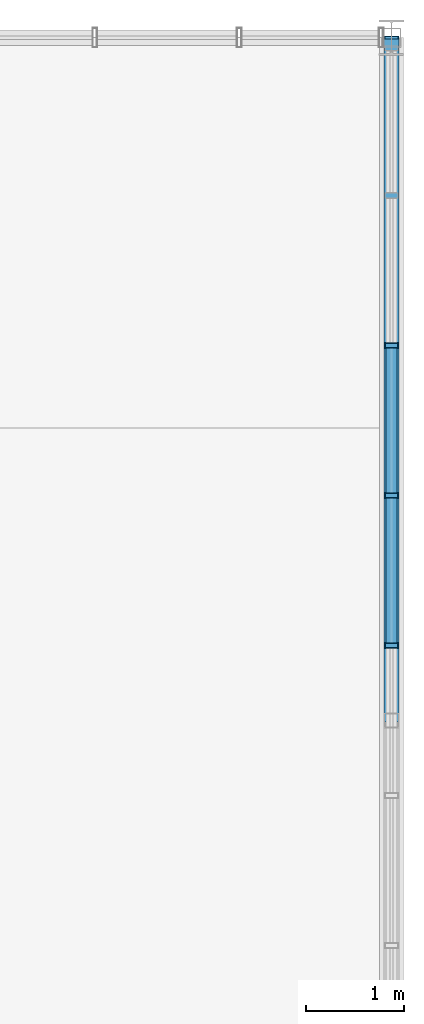
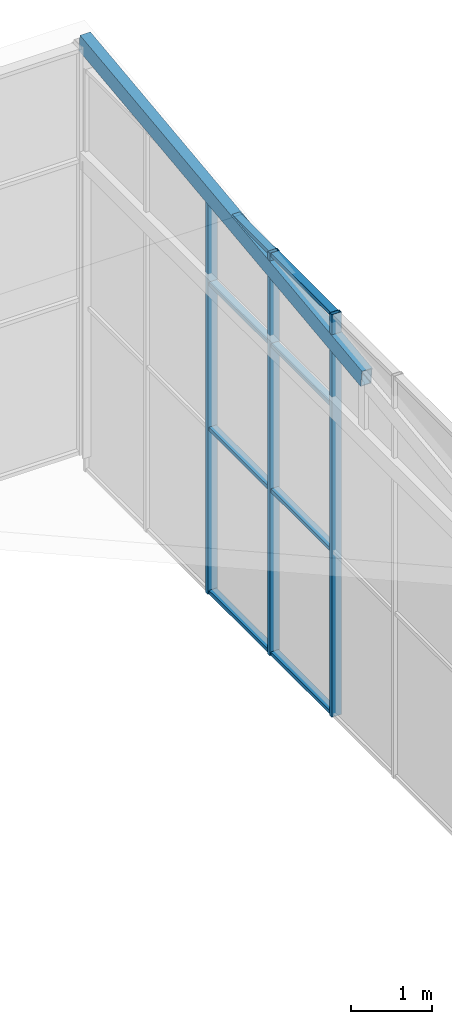
# One storey, part 75 of 104: 12 members, 1 element without a shape of its own.
"""IFC4 building model written with IfcOpenShell, lengths in metres."""

from ifc_helpers import new_model, si_unit, direction, frame, origin, origin_2d, place, context, subcontext, project, spatial, hollow_rectangle, extrude, material, layer, layer_set, material_profile, profile_set, type_object, element, aggregate, save


model = new_model("IFC4")

# Units and contexts
model_context = context("Model", 3, precision=1e-05, world=origin(), true_north=direction((0.0, 1.0)))
body_context = subcontext(model_context, "Body", "Model", "MODEL_VIEW")
ifc_project = project(units=[si_unit("LENGTHUNIT", "METRE"), si_unit("AREAUNIT", "SQUARE_METRE"), si_unit("VOLUMEUNIT", "CUBIC_METRE"), si_unit("PLANEANGLEUNIT", "RADIAN"), si_unit("MASSUNIT", "GRAM", prefix="KILO")], contexts=[model_context])

# Site, building, storey
site_placement = place(None, origin())
site = spatial("IfcSite", under=ifc_project, at=site_placement, CompositionType="ELEMENT")
building_placement = place(site_placement, origin())
building = spatial("IfcBuilding", under=site, at=building_placement, Name="Solvenia Promenade Tram Depot", CompositionType="ELEMENT")
storey_placement = place(building_placement, frame((0.0, 0.0, 9.0)))
storey = spatial("IfcBuildingStorey", under=building, at=storey_placement, Name="L02", CompositionType="ELEMENT", Elevation=9.0)

# Curtain wall, members
ifc_material_1 = material(Name="Anodized aluminium AW-6063 T6", Category="aluminium")
ifc_layer = layer(ifc_material_1, 0.080078125, Name="Anodized aluminium AW-6063 T6", Category="aluminium")
ifc_layer_set = layer_set([ifc_layer], Name="Anodized aluminium AW-6063 T6")
curtain_wall_type = type_object("IfcCurtainWallType", Name="CW-Clerest-1500", PredefinedType="NOTDEFINED", material=ifc_layer_set)
curtain_wall_placement = place(storey_placement, origin())
curtain_wall = element("IfcCurtainWall", 1, at=curtain_wall_placement, inside=storey, type_object=curtain_wall_type, Name="Curtain Wall CW-V2E-L2-3", PredefinedType="NOTDEFINED")
ifc_material_profile_1 = material_profile(ifc_material_1, hollow_rectangle(XDim=0.139892578125, YDim=0.054931640625, WallThickness=0.00390625, at=origin_2d()), Name="ALU-M4", Category="aluminium")
ifc_profile_set_1 = profile_set([ifc_material_profile_1], Name="Anodized aluminium AW-6063 T6")
member_type_1 = type_object("IfcMemberType", Name="CWM-Mullion-4", PredefinedType="MULLION", material=ifc_profile_set_1)
member_1_placement = place(storey_placement, frame((186.0, 59.768798828125, -0.25), z_axis=(0.0, 0.0, 1.0), x_axis=(-1.0, 0.0, 0.0)))
member_1 = element("IfcMember", 2, at=member_1_placement, type_object=member_type_1, Name="CW-4 mullion 6", PredefinedType="MULLION", context=body_context, shape_type="SweptSolid", body=[
    extrude(hollow_rectangle(XDim=0.139892578125, YDim=0.054931640625, WallThickness=0.00390625, at=origin_2d()), origin(), (0.0, 0.0, 1.0), 6.10009765625),
])
member_2_placement = place(storey_placement, frame((186.0, 61.306640625, -0.25), z_axis=(0.0, 0.0, 1.0), x_axis=(-1.0, 0.0, 0.0)))
member_2 = element("IfcMember", 3, at=member_2_placement, type_object=member_type_1, Name="CW-4 mullion 7", PredefinedType="MULLION", context=body_context, shape_type="SweptSolid", body=[
    extrude(hollow_rectangle(XDim=0.139892578125, YDim=0.054931640625, WallThickness=0.00390625, at=origin_2d()), origin(), (0.0, 0.0, 1.0), 6.10009765625),
])
member_3_placement = place(storey_placement, frame((186.0, 62.844482421875, -0.25), z_axis=(0.0, 0.0, 1.0), x_axis=(-1.0, 0.0, 0.0)))
member_3 = element("IfcMember", 4, at=member_3_placement, type_object=member_type_1, Name="CW-4 mullion 8", PredefinedType="MULLION", context=body_context, shape_type="SweptSolid", body=[
    extrude(hollow_rectangle(XDim=0.139892578125, YDim=0.054931640625, WallThickness=0.00390625, at=origin_2d()), origin(), (0.0, 0.0, 1.0), 6.10009765625),
])
ifc_material_profile_2 = material_profile(ifc_material_1, hollow_rectangle(XDim=0.110107421875, YDim=0.054931640625, WallThickness=0.00390625, at=origin_2d()), Name="ALU-T4", Category="aluminium")
ifc_profile_set_2 = profile_set([ifc_material_profile_2], Name="Anodized aluminium AW-6063 T6")
member_type_2 = type_object("IfcMemberType", Name="CWT-Transom-4", PredefinedType="USERDEFINED", material=ifc_profile_set_2)
member_4_placement = place(storey_placement, frame((186.0, 59.79638671875, -0.222412109375), z_axis=(0.0, 1.0, 0.0), x_axis=(-1.0, 0.0, 0.0)))
member_4 = element("IfcMember", 5, at=member_4_placement, type_object=member_type_2, Name="CW-4 transom 6.1", ObjectType="TRANSOM", PredefinedType="USERDEFINED", context=body_context, shape_type="SweptSolid", body=[
    extrude(hollow_rectangle(XDim=0.110107421875, YDim=0.054931640625, WallThickness=0.00390625, at=origin_2d()), origin(), (0.0, 0.0, 1.0), 1.482666015625),
])
member_5_placement = place(storey_placement, frame((186.0, 59.79638671875, 2.25), z_axis=(0.0, 1.0, 0.0), x_axis=(-1.0, 0.0, 0.0)))
member_5 = element("IfcMember", 6, at=member_5_placement, type_object=member_type_2, Name="CW-4 transom 6.2", ObjectType="TRANSOM", PredefinedType="USERDEFINED", context=body_context, shape_type="SweptSolid", body=[
    extrude(hollow_rectangle(XDim=0.110107421875, YDim=0.054931640625, WallThickness=0.00390625, at=origin_2d()), origin(), (0.0, 0.0, 1.0), 1.482666015625),
])
member_6_placement = place(storey_placement, frame((186.0, 59.79638671875, 4.449951171875), z_axis=(0.0, 1.0, 0.0), x_axis=(-1.0, 0.0, 0.0)))
member_6 = element("IfcMember", 7, at=member_6_placement, type_object=member_type_2, Name="CW-4 transom 6.3", ObjectType="TRANSOM", PredefinedType="USERDEFINED", context=body_context, shape_type="SweptSolid", body=[
    extrude(hollow_rectangle(XDim=0.110107421875, YDim=0.054931640625, WallThickness=0.00390625, at=origin_2d()), origin(), (0.0, 0.0, 1.0), 1.482666015625),
])
member_7_placement = place(storey_placement, frame((186.0, 59.79638671875, 5.822509765625), z_axis=(0.0, 1.0, 0.0), x_axis=(-1.0, 0.0, 0.0)))
member_7 = element("IfcMember", 8, at=member_7_placement, type_object=member_type_2, Name="CW-4 transom 6.4", ObjectType="TRANSOM", PredefinedType="USERDEFINED", context=body_context, shape_type="SweptSolid", body=[
    extrude(hollow_rectangle(XDim=0.110107421875, YDim=0.054931640625, WallThickness=0.00390625, at=origin_2d()), origin(), (0.0, 0.0, 1.0), 1.482666015625),
])
member_8_placement = place(storey_placement, frame((186.0, 61.334228515625, -0.222412109375), z_axis=(0.0, 1.0, 0.0), x_axis=(-1.0, 0.0, 0.0)))
member_8 = element("IfcMember", 9, at=member_8_placement, type_object=member_type_2, Name="CW-4 transom 7.1", ObjectType="TRANSOM", PredefinedType="USERDEFINED", context=body_context, shape_type="SweptSolid", body=[
    extrude(hollow_rectangle(XDim=0.110107421875, YDim=0.054931640625, WallThickness=0.00390625, at=origin_2d()), origin(), (0.0, 0.0, 1.0), 1.482666015625),
])
member_9_placement = place(storey_placement, frame((186.0, 61.334228515625, 2.25), z_axis=(0.0, 1.0, 0.0), x_axis=(-1.0, 0.0, 0.0)))
member_9 = element("IfcMember", 10, at=member_9_placement, type_object=member_type_2, Name="CW-4 transom 7.2", ObjectType="TRANSOM", PredefinedType="USERDEFINED", context=body_context, shape_type="SweptSolid", body=[
    extrude(hollow_rectangle(XDim=0.110107421875, YDim=0.054931640625, WallThickness=0.00390625, at=origin_2d()), origin(), (0.0, 0.0, 1.0), 1.482666015625),
])
member_10_placement = place(storey_placement, frame((186.0, 61.334228515625, 4.449951171875), z_axis=(0.0, 1.0, 0.0), x_axis=(-1.0, 0.0, 0.0)))
member_10 = element("IfcMember", 11, at=member_10_placement, type_object=member_type_2, Name="CW-4 transom 7.3", ObjectType="TRANSOM", PredefinedType="USERDEFINED", context=body_context, shape_type="SweptSolid", body=[
    extrude(hollow_rectangle(XDim=0.110107421875, YDim=0.054931640625, WallThickness=0.00390625, at=origin_2d()), origin(), (0.0, 0.0, 1.0), 1.482666015625),
])
member_11_placement = place(storey_placement, frame((186.0, 61.334228515625, 5.822509765625), z_axis=(0.0, 1.0, 0.0), x_axis=(-1.0, 0.0, 0.0)))
member_11 = element("IfcMember", 12, at=member_11_placement, type_object=member_type_2, Name="CW-4 transom 7.4", ObjectType="TRANSOM", PredefinedType="USERDEFINED", context=body_context, shape_type="SweptSolid", body=[
    extrude(hollow_rectangle(XDim=0.110107421875, YDim=0.054931640625, WallThickness=0.00390625, at=origin_2d()), origin(), (0.0, 0.0, 1.0), 1.482666015625),
])
aggregate(curtain_wall, [member_1, member_2, member_3, member_4, member_5, member_6, member_7, member_8, member_9, member_10, member_11])

# Member
ifc_material_2 = material(Name="Structural steel ASTM A500 Gr. C", Category="steel")
ifc_material_profile_3 = material_profile(ifc_material_2, hollow_rectangle(XDim=0.14990234375, YDim=0.25, WallThickness=0.010009765625, at=origin_2d()), Name="HSS250x150x10", Category="steel")
ifc_profile_set_3 = profile_set([ifc_material_profile_3], Name="Structural steel ASTM A500 Gr. C")
member_type_3 = type_object("IfcMemberType", Name="Chord-HSS250x150x10", PredefinedType="CHORD", material=ifc_profile_set_3)
member_12_placement = place(storey_placement, frame((186.0, 59.0, 5.330078125), z_axis=(0.0, 0.992710577163, 0.120522653429), x_axis=(-1.0, 0.0, 0.0)))
element("IfcMember", 13, at=member_12_placement, inside=storey, type_object=member_type_3, Name="Workshop Sawtooth Rafter 2-10N", PredefinedType="CHORD", context=body_context, shape_type="SweptSolid", body=[
    extrude(hollow_rectangle(XDim=0.14990234375, YDim=0.25, WallThickness=0.010009765625, at=origin_2d()), origin(), (0.0, 0.0, 1.0), 7.051513671875),
])

save(model, "model.ifc")
